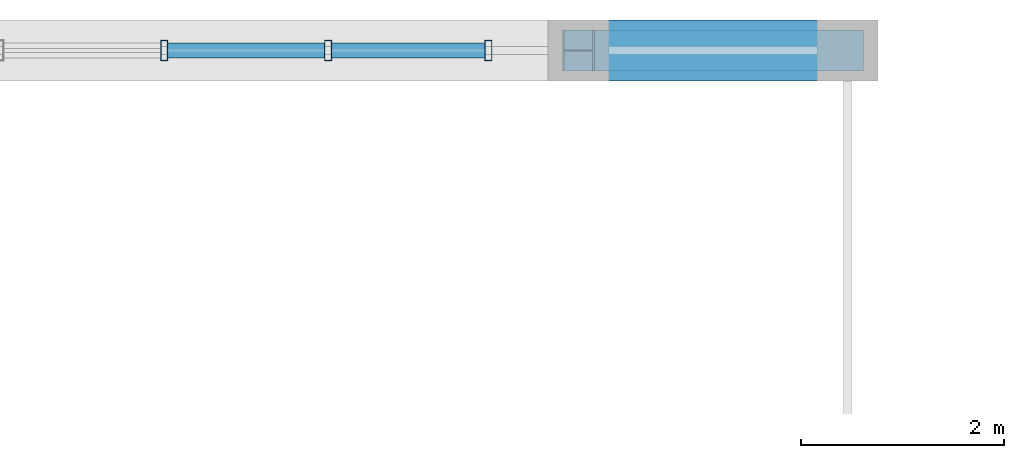
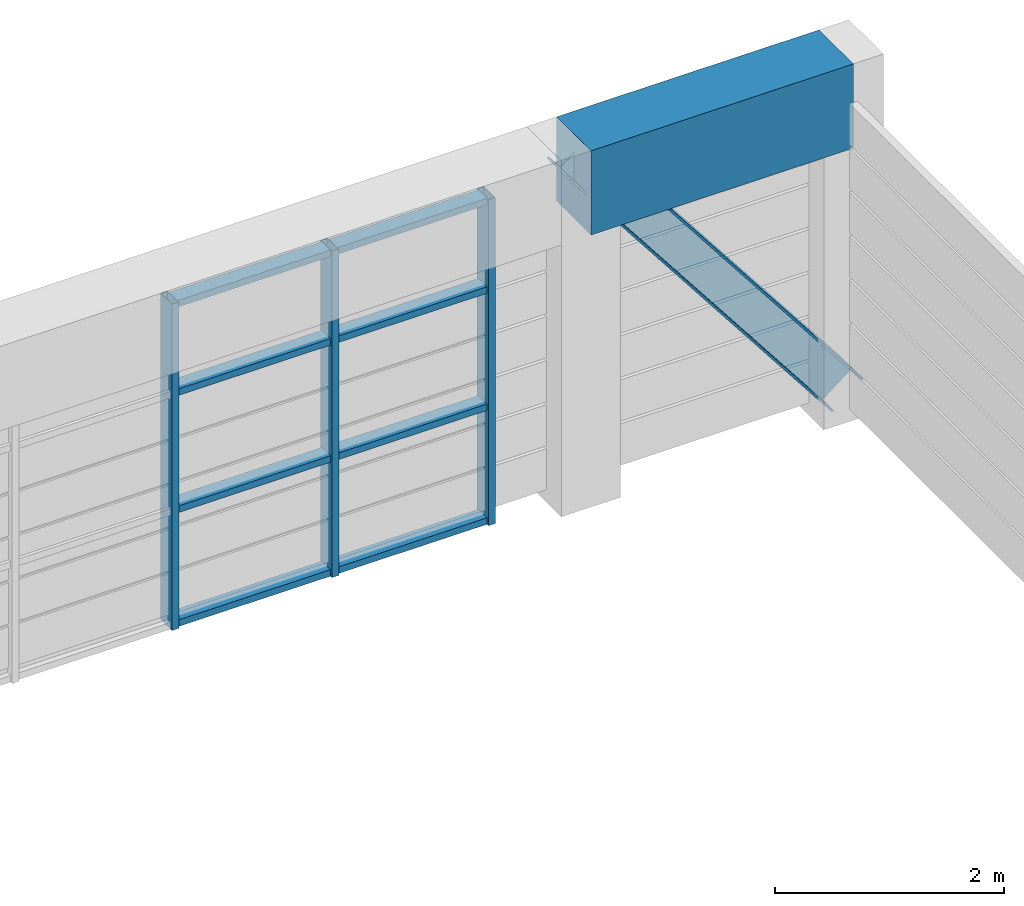
# One storey, part 15 of 21: 12 members, 1 beam, 1 element without a shape of its own.
"""IFC4 building model written with IfcOpenShell, lengths in metres."""

import ifcopenshell
import ifcopenshell.guid

model = None  # the IFC model being written
_history = None  # IfcOwnerHistory: only IFC2X3 demands one
_inside = {}  # id of a spatial element -> (the spatial element, [elements in it])
_under = {}  # id of a project, library or spatial element -> (it, [spatial elements below it])
_declared = {}  # id of a project -> (the project, [libraries it declares])
_typed = {}  # id of a type object -> (the type object, [elements of that type])
_made_of = {}  # id of a material, layer set ... -> (it, [elements and type objects made of it])


def new_model(schema):
    """Start an empty IFC model of exactly this schema.

    Asked for "IFC4X3", IfcOpenShell would pick the latest addendum, in which some entities
    have other attributes; the version numbers below select the first issue.
    IFC2X3 requires an IfcOwnerHistory on every rooted entity: one is made here for all.
    """
    global model, _history
    if schema == "IFC4X3":
        model = ifcopenshell.file(schema_version=(4, 3, 0, 0))
    else:
        model = ifcopenshell.file(schema=schema)
    _inside.clear()
    _under.clear()
    _declared.clear()
    _typed.clear()
    _made_of.clear()
    _history = None
    if model.schema == "IFC2X3":
        org = make("IfcOrganization", Name="unknown")
        user = make(
            "IfcPersonAndOrganization",
            ThePerson=make("IfcPerson", FamilyName="unknown"),
            TheOrganization=org,
        )
        app = make(
            "IfcApplication",
            ApplicationDeveloper=org,
            Version="unknown",
            ApplicationFullName="unknown",
            ApplicationIdentifier="unknown",
        )
        _history = make(
            "IfcOwnerHistory",
            OwningUser=user,
            OwningApplication=app,
            ChangeAction="ADDED",
            CreationDate=0,
        )
    return model


def make(cls, **values):
    """One entity of the class cls with the attributes given. An attribute that is None is left unset."""
    return model.create_entity(
        cls, **{name: value for name, value in values.items() if value is not None}
    )


def rooted(cls, **values):
    """An entity with a GlobalId (a new one), such as an element, a storey or a relation."""
    return make(cls, GlobalId=ifcopenshell.guid.new(), OwnerHistory=_history, **values)


def si_unit(unit_type, name, prefix=None):
    """IfcSIUnit, for example si_unit("LENGTHUNIT", "METRE", prefix="MILLI")."""
    return make("IfcSIUnit", UnitType=unit_type, Prefix=prefix, Name=name)


def assignment(units):
    """IfcUnitAssignment: the units of a project."""
    return None if units is None else make("IfcUnitAssignment", Units=units)


def point(xyz):
    """IfcCartesianPoint."""
    return None if xyz is None else make("IfcCartesianPoint", Coordinates=xyz)


def direction(xyz):
    """IfcDirection."""
    return None if xyz is None else make("IfcDirection", DirectionRatios=xyz)


def frame(location, z_axis=None, x_axis=None):
    """IfcAxis2Placement3D, a coordinate frame: its origin and axes. An axis left out is left unset."""
    return make(
        "IfcAxis2Placement3D",
        Location=point(location),
        Axis=direction(z_axis),
        RefDirection=direction(x_axis),
    )


def frame_2d(location, x_axis=None):
    """IfcAxis2Placement2D, a coordinate frame in the plane: its origin and x axis."""
    return make(
        "IfcAxis2Placement2D", Location=point(location), RefDirection=direction(x_axis)
    )


def origin():
    """The frame at (0, 0, 0) with its axes left unset."""
    return frame((0.0, 0.0, 0.0))


def origin_2d():
    """The frame at (0, 0) in the plane with its x axis left unset."""
    return frame_2d((0.0, 0.0))


def place(relative_to, where):
    """IfcLocalPlacement: puts the frame where relative to a parent placement (None: the world)."""
    return make(
        "IfcLocalPlacement", PlacementRelTo=relative_to, RelativePlacement=where
    )


def context(
    kind, dimensions, precision=None, world=None, true_north=None, identifier=None
):
    """IfcGeometricRepresentationContext, for example the 3D "Model" context."""
    return make(
        "IfcGeometricRepresentationContext",
        ContextIdentifier=identifier,
        ContextType=kind,
        CoordinateSpaceDimension=dimensions,
        Precision=precision,
        WorldCoordinateSystem=world,
        TrueNorth=true_north,
    )


def subcontext(parent, identifier, kind, view, scale=None):
    """IfcGeometricRepresentationSubContext, for example "Body" below "Model"."""
    return make(
        "IfcGeometricRepresentationSubContext",
        ContextIdentifier=identifier,
        ContextType=kind,
        ParentContext=parent,
        TargetScale=scale,
        TargetView=view,
    )


def project(units=None, contexts=None):
    """IfcProject with its units and contexts."""
    return rooted(
        "IfcProject",
        Name="project",
        RepresentationContexts=contexts,
        UnitsInContext=assignment(units),
    )


def spatial(cls, under=None, at=None, **own):
    """A site, building, storey or space (cls), placed at a placement, below another one or the project."""
    s = rooted(cls, ObjectPlacement=at, **own)
    if under is not None:
        _under.setdefault(under.id(), (under, []))[1].append(s)
    return s


def profile(cls, at=None, kind="AREA", **sizes):
    """A parametric profile (cls). Its sizes go by their IFC names, for example OverallWidth=200.0."""
    return make(cls, ProfileType=kind, Position=at, **sizes)


def rectangle(**sizes):
    """IfcRectangleProfileDef."""
    return profile("IfcRectangleProfileDef", **sizes)


def hollow_rectangle(**sizes):
    """IfcRectangleHollowProfileDef."""
    return profile("IfcRectangleHollowProfileDef", **sizes)


def i_section(**sizes):
    """IfcIShapeProfileDef."""
    return profile("IfcIShapeProfileDef", **sizes)


def extrude(swept, where, along, depth):
    """IfcExtrudedAreaSolid: the profile swept, set in the frame where, extruded along a direction by depth."""
    return make(
        "IfcExtrudedAreaSolid",
        SweptArea=swept,
        Position=where,
        ExtrudedDirection=direction(along),
        Depth=depth,
    )


def shape(context_of_items, identifier, shape_type, items):
    """IfcShapeRepresentation: the items that make up one representation, for example the "Body"."""
    return make(
        "IfcShapeRepresentation",
        ContextOfItems=context_of_items,
        RepresentationIdentifier=identifier,
        RepresentationType=shape_type,
        Items=items,
    )


def source(mapping_origin, context_of_items, identifier, shape_type, items):
    """IfcRepresentationMap: a shape defined once, which mapped items show again and again."""
    return make(
        "IfcRepresentationMap",
        MappingOrigin=mapping_origin,
        MappedRepresentation=shape(context_of_items, identifier, shape_type, items),
    )


def transform(
    local_origin,
    x_axis=None,
    y_axis=None,
    z_axis=None,
    scale=None,
    scale2=None,
    scale3=None,
    uniform=True,
):
    """IfcCartesianTransformationOperator3D, or its non-uniform kind. x_axis, y_axis, z_axis: its Axis1, 2, 3."""
    if uniform:
        return make(
            "IfcCartesianTransformationOperator3D",
            Axis1=direction(x_axis),
            Axis2=direction(y_axis),
            LocalOrigin=point(local_origin),
            Scale=scale,
            Axis3=direction(z_axis),
        )
    return make(
        "IfcCartesianTransformationOperator3DnonUniform",
        Axis1=direction(x_axis),
        Axis2=direction(y_axis),
        LocalOrigin=point(local_origin),
        Scale=scale,
        Axis3=direction(z_axis),
        Scale2=scale2,
        Scale3=scale3,
    )


def mapped(mapping_source, mapping_target):
    """IfcMappedItem: shows the shape of a source again, moved by a transform."""
    return make(
        "IfcMappedItem", MappingSource=mapping_source, MappingTarget=mapping_target
    )


def material(Name=None, Category=None):
    """IfcMaterial."""
    return make("IfcMaterial", Name=Name, Category=Category)


def layer(
    of_material, thickness, ventilated=None, Name=None, Category=None, Priority=None
):
    """IfcMaterialLayer: one layer of a wall or slab, of a material (None: an air gap)."""
    return make(
        "IfcMaterialLayer",
        Material=of_material,
        LayerThickness=thickness,
        IsVentilated=ventilated,
        Name=Name,
        Category=Category,
        Priority=Priority,
    )


def layer_set(layers, Name=None):
    """IfcMaterialLayerSet."""
    return make("IfcMaterialLayerSet", MaterialLayers=layers, LayerSetName=Name)


def material_profile(
    of_material, cross_section, Name=None, Category=None, Priority=None
):
    """IfcMaterialProfile: a cross section and its material."""
    return make(
        "IfcMaterialProfile",
        Name=Name,
        Material=of_material,
        Profile=cross_section,
        Priority=Priority,
        Category=Category,
    )


def profile_set(profiles, Name=None, composite=None):
    """IfcMaterialProfileSet."""
    return make(
        "IfcMaterialProfileSet",
        Name=Name,
        MaterialProfiles=profiles,
        CompositeProfile=composite,
    )


def made_of(thing, what):
    """Note that an element or type object is made of a material, layer set ...; save() writes the relation."""
    if what is not None:
        _made_of.setdefault(what.id(), (what, []))[1].append(thing)
    return thing


def type_object(cls, material=None, **own):
    """A type object (cls), such as IfcWallType, which elements share."""
    return made_of(rooted(cls, **own), material)


def element(
    cls,
    number,
    at=None,
    inside=None,
    cuts=None,
    type_object=None,
    material=None,
    context=None,
    identifier="Body",
    shape_type=None,
    held_by="IfcProductDefinitionShape",
    body=None,
    shapes=None,
    **own,
):
    """One element of the class cls, such as IfcWall. Its Tag is "e" and its number.

    at: its placement. inside: the storey or other place that contains it. cuts: it is an
    opening in that element (IfcRelVoidsElement). A single representation is given by context,
    identifier, shape_type and body (its items); several are given by shapes. held_by: the class
    of the entity that holds the representations. save() writes the other relations.
    """
    e = rooted(cls, Tag="e%d" % number, ObjectPlacement=at, **own)
    if body is not None:
        shapes = [shape(context, identifier, shape_type, body)]
    if shapes is not None:
        e.Representation = make(held_by, Representations=shapes)
    if inside is not None:
        _inside.setdefault(inside.id(), (inside, []))[1].append(e)
    if cuts is not None:
        rooted(
            "IfcRelVoidsElement", RelatingBuildingElement=cuts, RelatedOpeningElement=e
        )
    if type_object is not None:
        _typed.setdefault(type_object.id(), (type_object, []))[1].append(e)
    return made_of(e, material)


def aggregate(whole, parts):
    """IfcRelAggregates: a whole, such as a stair, and the parts it consists of."""
    return rooted("IfcRelAggregates", RelatingObject=whole, RelatedObjects=parts)


def save(model, path):
    """Write the relations noted so far, then the file.

    IfcRelAggregates (storeys below a building ...), IfcRelContainedInSpatialStructure (elements
    in a storey), IfcRelDefinesByType, IfcRelAssociatesMaterial and IfcRelDeclares: one each for
    every whole, place, type object, material and project.
    """
    for whole, parts in _under.values():
        aggregate(whole, parts)
    for where, things in _inside.values():
        rooted(
            "IfcRelContainedInSpatialStructure",
            RelatedElements=things,
            RelatingStructure=where,
        )
    for kind, things in _typed.values():
        rooted("IfcRelDefinesByType", RelatedObjects=things, RelatingType=kind)
    for what, things in _made_of.values():
        rooted("IfcRelAssociatesMaterial", RelatedObjects=things, RelatingMaterial=what)
    for by, libraries in _declared.values():
        rooted("IfcRelDeclares", RelatingContext=by, RelatedDefinitions=libraries)
    model.write(path)


model = new_model("IFC4")

# Units and contexts
model_context = context("Model", 3, precision=1e-05, world=origin(), true_north=direction((0.0, 1.0)))
body_context = subcontext(model_context, "Body", "Model", "MODEL_VIEW")
ifc_project = project(units=[si_unit("LENGTHUNIT", "METRE"), si_unit("AREAUNIT", "SQUARE_METRE"), si_unit("VOLUMEUNIT", "CUBIC_METRE"), si_unit("PLANEANGLEUNIT", "RADIAN"), si_unit("MASSUNIT", "GRAM", prefix="KILO")], contexts=[model_context])

# Site, building, storey
site_placement = place(None, origin())
site = spatial("IfcSite", under=ifc_project, at=site_placement, CompositionType="ELEMENT")
building_placement = place(site_placement, origin())
building = spatial("IfcBuilding", under=site, at=building_placement, Name="Saelheon Loggia Tower", CompositionType="ELEMENT")
storey_placement = place(building_placement, frame((0.0, 0.0, 267.39990234375)))
storey = spatial("IfcBuildingStorey", under=building, at=storey_placement, Name="CR5", CompositionType="ELEMENT", Elevation=267.39990234375)

# Beam
ifc_material_1 = material(Name="Precast Concrete C45/55", Category="concrete")
ifc_material_profile_1 = material_profile(ifc_material_1, rectangle(XDim=0.60009765625, YDim=0.89990234375, at=origin_2d()), Name="RC-600x900")
ifc_profile_set_1 = profile_set([ifc_material_profile_1], Name="Precast Concrete C45/55")
beam_type = type_object("IfcBeamType", Name="CrownFrame_Ring_RC600x900", PredefinedType="BEAM", material=ifc_profile_set_1)
shared_shape_1 = source(origin(), body_context, "Body", "SweptSolid", [
    extrude(rectangle(XDim=0.60009765625, YDim=0.89990234375, at=origin_2d()), origin(), (0.0, 0.0, 1.0), 2.64990234375),
])
beam_placement = place(storey_placement, frame((47.14990234375, 47.64990234375, 3.35009765625), z_axis=(-1.0, 0.0, 0.0), x_axis=(0.0, -1.0, 0.0)))
element("IfcBeam", 1, at=beam_placement, inside=storey, type_object=beam_type, Name="CR5 CROWN FRAME Sill Beam 09", PredefinedType="BEAM", context=body_context, shape_type="MappedRepresentation", body=[
    mapped(shared_shape_1, transform((0.0, 0.0, 0.0), scale=1.0)),
])

# Member
ifc_material_2 = material(Name="Steel SM355", Category="steel")
ifc_material_profile_2 = material_profile(ifc_material_2, i_section(OverallWidth=0.39990234375, OverallDepth=0.39990234375, WebThickness=0.012939453125, FlangeThickness=0.02099609375, at=origin_2d()), Name="H-400x400x13x21")
ifc_profile_set_2 = profile_set([ifc_material_profile_2], Name="Steel SM355")
member_type_1 = type_object("IfcMemberType", Name="CrownFrame_Brace_H400", PredefinedType="BRACE", material=ifc_profile_set_2)
shared_shape_2 = source(origin(), body_context, "Body", "SweptSolid", [
    extrude(i_section(OverallWidth=0.39990234375, OverallDepth=0.39990234375, WebThickness=0.012939453125, FlangeThickness=0.02099609375, at=origin_2d()), origin(), (0.0, 0.0, 1.0), 4.310546875),
])
member_1_placement = place(storey_placement, frame((47.14990234375, 47.64990234375, 0.2001953125), z_axis=(-0.614740189852, 0.0, 0.788729674211), x_axis=(0.0, -1.0, 0.0)))
element("IfcMember", 2, at=member_1_placement, inside=storey, type_object=member_type_1, Name="CR5 CROWN FRAME Wind Brace 05", PredefinedType="BRACE", context=body_context, shape_type="MappedRepresentation", body=[
    mapped(shared_shape_2, transform((0.0, 0.0, 0.0), scale=1.0)),
])

# Curtain wall, members
ifc_material_3 = material(Name="Bronze-Anodised Aluminium and Fritted Ceramic Screen", Category="aluminium")
ifc_layer = layer(ifc_material_3, 0.219970703125)
ifc_layer_set = layer_set([ifc_layer], Name="Bronze-Anodised Aluminium and Fritted Ceramic Screen")
curtain_wall_type = type_object("IfcCurtainWallType", Name="CW_CrownScreen", PredefinedType="NOTDEFINED", material=ifc_layer_set)
curtain_wall_placement = place(storey_placement, origin())
curtain_wall = element("IfcCurtainWall", 3, at=curtain_wall_placement, inside=storey, type_object=curtain_wall_type, Name="CR5 Crown Central Screen Curtain Wall 6", PredefinedType="NOTDEFINED")
ifc_material_4 = material(Name="Bronze-Anodised Aluminium 6063-T6", Category="aluminium")
ifc_material_profile_3 = material_profile(ifc_material_4, hollow_rectangle(XDim=0.070068359375, YDim=0.199951171875, WallThickness=0.0048828125, at=origin_2d()), Name="RHS-200x70x5")
ifc_profile_set_3 = profile_set([ifc_material_profile_3], Name="Bronze-Anodised Aluminium 6063-T6")
member_type_2 = type_object("IfcMemberType", Name="CW_CrownScreen_Mullion", PredefinedType="MULLION", material=ifc_profile_set_3)
shared_shape_3 = source(origin(), body_context, "Body", "SweptSolid", [
    extrude(hollow_rectangle(XDim=0.070068359375, YDim=0.199951171875, WallThickness=0.0048828125, at=origin_2d()), origin(), (0.0, 0.0, 1.0), 3.47998046875),
])
member_2_placement = place(storey_placement, frame((40.42138671875, 47.64990234375, 0.0), z_axis=(0.0, 0.0, 1.0), x_axis=(1.0, 0.0, 0.0)))
member_2 = element("IfcMember", 4, at=member_2_placement, type_object=member_type_2, Name="CW6 mullion 6", PredefinedType="MULLION", context=body_context, shape_type="MappedRepresentation", body=[
    mapped(shared_shape_3, transform((0.0, 0.0, 0.0), scale=1.0)),
])
member_3_placement = place(storey_placement, frame((42.03564453125, 47.64990234375, 0.0), z_axis=(0.0, 0.0, 1.0), x_axis=(1.0, 0.0, 0.0)))
member_3 = element("IfcMember", 5, at=member_3_placement, type_object=member_type_2, Name="CW6 mullion 7", PredefinedType="MULLION", context=body_context, shape_type="MappedRepresentation", body=[
    mapped(shared_shape_3, transform((0.0, 0.0, 0.0), scale=1.0)),
])
member_4_placement = place(storey_placement, frame((43.614990234375, 47.64990234375, 0.0), z_axis=(0.0, 0.0, 1.0), x_axis=(1.0, 0.0, 0.0)))
member_4 = element("IfcMember", 6, at=member_4_placement, type_object=member_type_2, Name="CW6 mullion 8", PredefinedType="MULLION", context=body_context, shape_type="MappedRepresentation", body=[
    mapped(shared_shape_3, transform((0.0, 0.0, 0.0), scale=1.0)),
])
ifc_material_profile_4 = material_profile(ifc_material_4, hollow_rectangle(XDim=0.070068359375, YDim=0.14990234375, WallThickness=0.0048828125, at=origin_2d()), Name="RHS-150x70x5")
ifc_profile_set_4 = profile_set([ifc_material_profile_4], Name="Bronze-Anodised Aluminium 6063-T6")
member_type_3 = type_object("IfcMemberType", Name="CW_CrownScreen_Transom", PredefinedType="USERDEFINED", material=ifc_profile_set_4)
shared_shape_4 = source(origin(), body_context, "Body", "SweptSolid", [
    extrude(hollow_rectangle(XDim=0.070068359375, YDim=0.14990234375, WallThickness=0.0048828125, at=origin_2d()), origin(), (0.0, 0.0, 1.0), 1.50927734375),
])
member_5_placement = place(storey_placement, frame((42.07080078125, 47.64990234375, 0.03515625), z_axis=(1.0, 0.0, 0.0), x_axis=(0.0, 0.0, 1.0)))
member_5 = element("IfcMember", 7, at=member_5_placement, type_object=member_type_3, Name="CW6 transom 7.1", ObjectType="TRANSOM", PredefinedType="USERDEFINED", context=body_context, shape_type="MappedRepresentation", body=[
    mapped(shared_shape_4, transform((0.0, 0.0, 0.0), scale=1.0)),
])
member_6_placement = place(storey_placement, frame((42.07080078125, 47.64990234375, 1.25), z_axis=(1.0, 0.0, 0.0), x_axis=(0.0, 0.0, 1.0)))
member_6 = element("IfcMember", 8, at=member_6_placement, type_object=member_type_3, Name="CW6 transom 7.2", ObjectType="TRANSOM", PredefinedType="USERDEFINED", context=body_context, shape_type="MappedRepresentation", body=[
    mapped(shared_shape_4, transform((0.0, 0.0, 0.0), scale=1.0)),
])
member_7_placement = place(storey_placement, frame((42.07080078125, 47.64990234375, 2.5), z_axis=(1.0, 0.0, 0.0), x_axis=(0.0, 0.0, 1.0)))
member_7 = element("IfcMember", 9, at=member_7_placement, type_object=member_type_3, Name="CW6 transom 7.3", ObjectType="TRANSOM", PredefinedType="USERDEFINED", context=body_context, shape_type="MappedRepresentation", body=[
    mapped(shared_shape_4, transform((0.0, 0.0, 0.0), scale=1.0)),
])
member_8_placement = place(storey_placement, frame((42.07080078125, 47.64990234375, 3.445068359375), z_axis=(1.0, 0.0, 0.0), x_axis=(0.0, 0.0, 1.0)))
member_8 = element("IfcMember", 10, at=member_8_placement, type_object=member_type_3, Name="CW6 transom 7.4", ObjectType="TRANSOM", PredefinedType="USERDEFINED", context=body_context, shape_type="MappedRepresentation", body=[
    mapped(shared_shape_4, transform((0.0, 0.0, 0.0), scale=1.0)),
])
shared_shape_5 = source(origin(), body_context, "Body", "SweptSolid", [
    extrude(hollow_rectangle(XDim=0.070068359375, YDim=0.14990234375, WallThickness=0.0048828125, at=origin_2d()), origin(), (0.0, 0.0, 1.0), 1.544189453125),
])
member_9_placement = place(storey_placement, frame((40.45654296875, 47.64990234375, 0.03515625), z_axis=(1.0, 0.0, 0.0), x_axis=(0.0, 0.0, 1.0)))
member_9 = element("IfcMember", 11, at=member_9_placement, type_object=member_type_3, Name="CW6 transom 6.1", ObjectType="TRANSOM", PredefinedType="USERDEFINED", context=body_context, shape_type="MappedRepresentation", body=[
    mapped(shared_shape_5, transform((0.0, 0.0, 0.0), scale=1.0)),
])
member_10_placement = place(storey_placement, frame((40.45654296875, 47.64990234375, 1.25), z_axis=(1.0, 0.0, 0.0), x_axis=(0.0, 0.0, 1.0)))
member_10 = element("IfcMember", 12, at=member_10_placement, type_object=member_type_3, Name="CW6 transom 6.2", ObjectType="TRANSOM", PredefinedType="USERDEFINED", context=body_context, shape_type="MappedRepresentation", body=[
    mapped(shared_shape_5, transform((0.0, 0.0, 0.0), scale=1.0)),
])
member_11_placement = place(storey_placement, frame((40.45654296875, 47.64990234375, 2.5), z_axis=(1.0, 0.0, 0.0), x_axis=(0.0, 0.0, 1.0)))
member_11 = element("IfcMember", 13, at=member_11_placement, type_object=member_type_3, Name="CW6 transom 6.3", ObjectType="TRANSOM", PredefinedType="USERDEFINED", context=body_context, shape_type="MappedRepresentation", body=[
    mapped(shared_shape_5, transform((0.0, 0.0, 0.0), scale=1.0)),
])
member_12_placement = place(storey_placement, frame((40.45654296875, 47.64990234375, 3.445068359375), z_axis=(1.0, 0.0, 0.0), x_axis=(0.0, 0.0, 1.0)))
member_12 = element("IfcMember", 14, at=member_12_placement, type_object=member_type_3, Name="CW6 transom 6.4", ObjectType="TRANSOM", PredefinedType="USERDEFINED", context=body_context, shape_type="MappedRepresentation", body=[
    mapped(shared_shape_5, transform((0.0, 0.0, 0.0), scale=1.0)),
])
aggregate(curtain_wall, [member_2, member_3, member_4, member_9, member_10, member_11, member_12, member_5, member_6, member_7, member_8])

save(model, "model.ifc")
